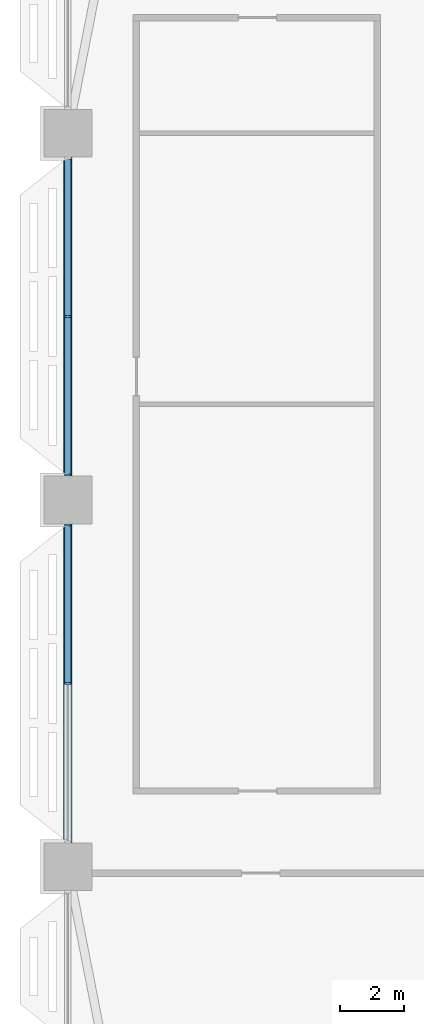
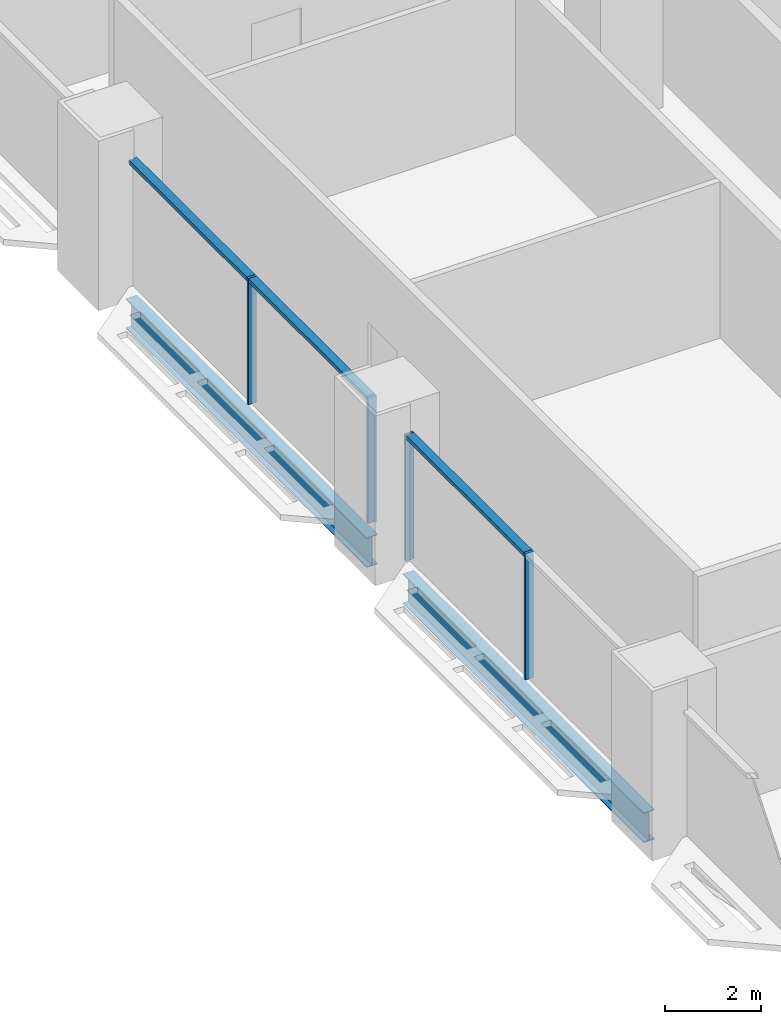
# One storey, part 4 of 29: 7 members, 2 beams, 2 elements without a shape of their own.
"""IFC4 building model written with IfcOpenShell, lengths in metres."""

from ifc_helpers import new_model, si_unit, direction, frame, origin, origin_2d, place, context, subcontext, project, spatial, rectangle, i_section, extrude, material, material_profile, profile_set, type_object, element, aggregate, save


model = new_model("IFC4")

# Units and contexts
model_context = context("Model", 3, precision=1e-05, world=origin(), true_north=direction((0.0, 1.0)))
body_context = subcontext(model_context, "Body", "Model", "MODEL_VIEW")
ifc_project = project(units=[si_unit("LENGTHUNIT", "METRE"), si_unit("AREAUNIT", "SQUARE_METRE"), si_unit("VOLUMEUNIT", "CUBIC_METRE"), si_unit("PLANEANGLEUNIT", "RADIAN"), si_unit("MASSUNIT", "GRAM", prefix="KILO")], contexts=[model_context])

# Site, building, storey
site_placement = place(None, origin())
site = spatial("IfcSite", under=ifc_project, at=site_placement, CompositionType="ELEMENT")
building_placement = place(site_placement, origin())
building = spatial("IfcBuilding", under=site, at=building_placement, Name="Mahtab Terrace Research Tower", CompositionType="ELEMENT")
storey_placement = place(building_placement, frame((0.0, 0.0, 58.89990234375)))
storey = spatial("IfcBuildingStorey", under=building, at=storey_placement, Name="L13", CompositionType="ELEMENT", Elevation=58.89990234375)

# Curtain wall, members
ifc_material_1 = material(Name="Laboratory ribbon curtain wall")
curtain_wall_type = type_object("IfcCurtainWallType", Name="Laboratory ribbon curtain wall", PredefinedType="NOTDEFINED", material=ifc_material_1)
curtain_wall_1_placement = place(storey_placement, origin())
curtain_wall_1 = element("IfcCurtainWall", 1, at=curtain_wall_1_placement, inside=storey, type_object=curtain_wall_type, Name="EN.L13.8.16", PredefinedType="NOTDEFINED")
ifc_material_2 = material(Name="Natural anodised aluminium", Category="aluminium")
ifc_material_profile_1 = material_profile(ifc_material_2, rectangle(XDim=0.199951171875, YDim=0.06494140625, at=origin_2d()), Name="MULLION 65x200")
ifc_profile_set_1 = profile_set([ifc_material_profile_1], Name="Natural anodised aluminium")
member_type_1 = type_object("IfcMemberType", Name="Laboratory ribbon curtain wall mullion", PredefinedType="MULLION", material=ifc_profile_set_1)
member_1_placement = place(storey_placement, frame((-42.0, 5.75, 0.0), z_axis=(0.0, 0.0, 1.0), x_axis=(1.0, 0.0, 0.0)))
member_1 = element("IfcMember", 2, at=member_1_placement, type_object=member_type_1, Name="CWL-2 mullion 2", PredefinedType="MULLION", context=body_context, shape_type="SweptSolid", body=[
    extrude(rectangle(XDim=0.199951171875, YDim=0.06494140625, at=origin_2d()), origin(), (0.0, 0.0, 1.0), 3.203125),
])
member_2_placement = place(storey_placement, frame((-42.0, 0.782470703125, 0.0), z_axis=(0.0, 0.0, 1.0), x_axis=(1.0, 0.0, 0.0)))
member_2 = element("IfcMember", 3, at=member_2_placement, type_object=member_type_1, Name="CWL-2 mullion 3", PredefinedType="MULLION", context=body_context, shape_type="SweptSolid", body=[
    extrude(rectangle(XDim=0.199951171875, YDim=0.06494140625, at=origin_2d()), origin(), (0.0, 0.0, 1.0), 3.203125),
])

curtain_wall_2_placement = place(storey_placement, origin())
curtain_wall_2 = element("IfcCurtainWall", 4, at=curtain_wall_2_placement, inside=storey, type_object=curtain_wall_type, Name="EN.L13.8.17", PredefinedType="NOTDEFINED")
member_3_placement = place(storey_placement, frame((-42.0, -0.782470703125, 0.0), z_axis=(0.0, 0.0, 1.0), x_axis=(1.0, 0.0, 0.0)))
member_3 = element("IfcMember", 5, at=member_3_placement, type_object=member_type_1, Name="CWL-2 mullion 1", PredefinedType="MULLION", context=body_context, shape_type="SweptSolid", body=[
    extrude(rectangle(XDim=0.199951171875, YDim=0.06494140625, at=origin_2d()), origin(), (0.0, 0.0, 1.0), 3.203125),
])
member_4_placement = place(storey_placement, frame((-42.0, -5.75, 0.0), z_axis=(0.0, 0.0, 1.0), x_axis=(1.0, 0.0, 0.0)))
member_4 = element("IfcMember", 6, at=member_4_placement, type_object=member_type_1, Name="CWL-2 mullion 2", PredefinedType="MULLION", context=body_context, shape_type="SweptSolid", body=[
    extrude(rectangle(XDim=0.199951171875, YDim=0.06494140625, at=origin_2d()), origin(), (0.0, 0.0, 1.0), 3.203125),
])

# Member
ifc_material_profile_2 = material_profile(ifc_material_2, rectangle(XDim=0.199951171875, YDim=0.10009765625, at=origin_2d()), Name="TRANSOM 100x200")
ifc_profile_set_2 = profile_set([ifc_material_profile_2], Name="Natural anodised aluminium")
member_type_2 = type_object("IfcMemberType", Name="Laboratory ribbon curtain wall transom", PredefinedType="USERDEFINED", material=ifc_profile_set_2)
member_5_placement = place(storey_placement, frame((-42.0, 10.68505859375, 3.153076171875), z_axis=(0.0, -1.0, 0.0), x_axis=(1.0, 0.0, 0.0)))
member_5 = element("IfcMember", 7, at=member_5_placement, type_object=member_type_2, Name="CWL-2 transom 1", ObjectType="TRANSOM", PredefinedType="USERDEFINED", context=body_context, shape_type="SweptSolid", body=[
    extrude(rectangle(XDim=0.199951171875, YDim=0.10009765625, at=origin_2d()), origin(), (0.0, 0.0, 1.0), 4.902587890625),
])

member_6_placement = place(storey_placement, frame((-42.0, 5.717529296875, 3.153076171875), z_axis=(0.0, -1.0, 0.0), x_axis=(1.0, 0.0, 0.0)))
member_6 = element("IfcMember", 8, at=member_6_placement, type_object=member_type_2, Name="CWL-2 transom 2", ObjectType="TRANSOM", PredefinedType="USERDEFINED", context=body_context, shape_type="SweptSolid", body=[
    extrude(rectangle(XDim=0.199951171875, YDim=0.10009765625, at=origin_2d()), origin(), (0.0, 0.0, 1.0), 4.902587890625),
])

aggregate(curtain_wall_1, [member_1, member_2, member_5, member_6])

member_7_placement = place(storey_placement, frame((-42.0, -0.81494140625, 3.153076171875), z_axis=(0.0, -1.0, 0.0), x_axis=(1.0, 0.0, 0.0)))
member_7 = element("IfcMember", 9, at=member_7_placement, type_object=member_type_2, Name="CWL-2 transom 1", ObjectType="TRANSOM", PredefinedType="USERDEFINED", context=body_context, shape_type="SweptSolid", body=[
    extrude(rectangle(XDim=0.199951171875, YDim=0.10009765625, at=origin_2d()), origin(), (0.0, 0.0, 1.0), 4.902587890625),
])

aggregate(curtain_wall_2, [member_3, member_4, member_7])

# Beams
ifc_material_3 = material(Name="Steel ASTM A992 Gr 50", Category="steel")
ifc_material_profile_3 = material_profile(ifc_material_3, i_section(OverallWidth=0.2666015625, OverallDepth=0.7568359375, WebThickness=0.013916015625, FlangeThickness=0.019287109375, at=origin_2d()), Name="W30X108")
ifc_profile_set_3 = profile_set([ifc_material_profile_3], Name="Steel ASTM A992 Gr 50")
beam_type = type_object("IfcBeamType", Name="W30x108 beam BS30108", PredefinedType="BEAM", material=ifc_profile_set_3)
for number, where, z_axis, x_axis, name in (
    (10, (-42.0, 10.75, -0.71826171875), (0.0, -1.0, 0.0), (1.0, 0.0, 0.0), "Spandrel beam L13 10"),
    (11, (-42.0, -0.75, -0.71826171875), (0.0, -1.0, 0.0), (1.0, 0.0, 0.0), "Spandrel beam L13 11"),
):
    element("IfcBeam", number, at=place(storey_placement, frame(where, z_axis=z_axis, x_axis=x_axis)), inside=storey, type_object=beam_type, Name=name, PredefinedType="BEAM", context=body_context, shape_type="SweptSolid", body=[
        extrude(i_section(OverallWidth=0.2666015625, OverallDepth=0.7568359375, WebThickness=0.013916015625, FlangeThickness=0.019287109375, at=origin_2d()), origin(), (0.0, 0.0, 1.0), 10.0),
    ])

save(model, "model.ifc")
